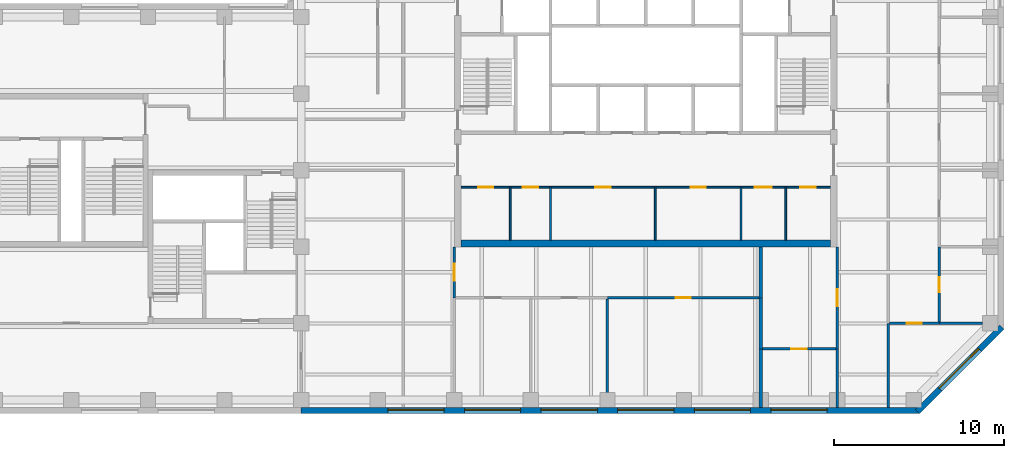
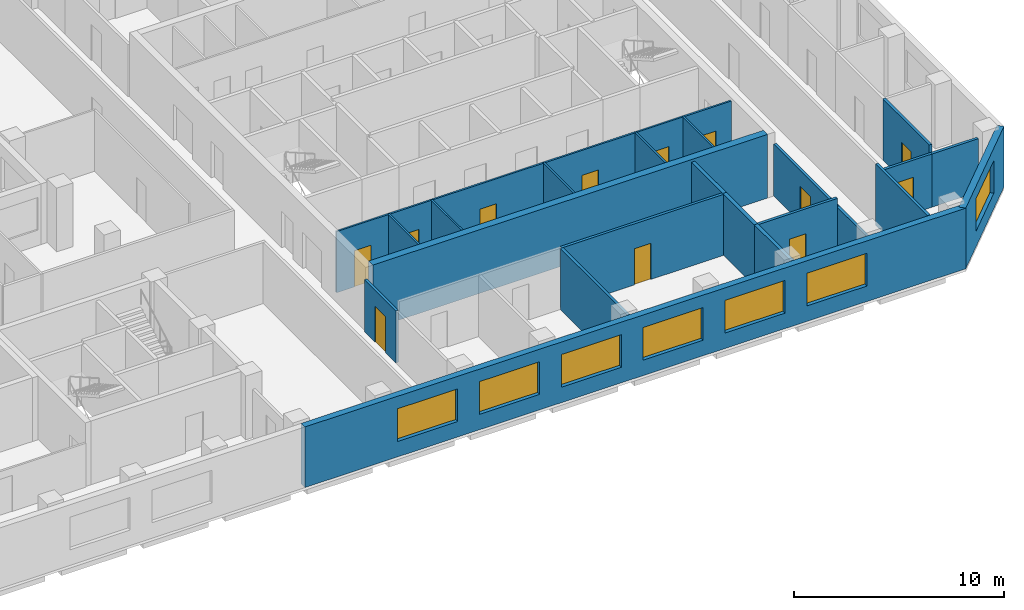
# One storey, part 4 of 9: 22 walls, 12 doors, 7 windows, 19 openings.
"""IFC4 building model written with IfcOpenShell, lengths in metres."""

from ifc_helpers import new_model, si_unit, direction, frame, frame_2d, origin, place, context, subcontext, project, spatial, rectangle, extrude, material, layer, layer_set, constituent, constituent_set, type_object, element, fill, save


model = new_model("IFC4")

# Units and contexts
model_context = context("Model", 3, precision=1e-05, world=origin(), true_north=direction((0.0, 1.0)))
body_context = subcontext(model_context, "Body", "Model", "MODEL_VIEW")
ifc_project = project(units=[si_unit("LENGTHUNIT", "METRE"), si_unit("AREAUNIT", "SQUARE_METRE"), si_unit("VOLUMEUNIT", "CUBIC_METRE"), si_unit("PLANEANGLEUNIT", "RADIAN"), si_unit("MASSUNIT", "GRAM", prefix="KILO")], contexts=[model_context])

# Site, building, storey
site_placement = place(None, origin())
site = spatial("IfcSite", under=ifc_project, at=site_placement, CompositionType="ELEMENT")
building_placement = place(site_placement, origin())
building = spatial("IfcBuilding", under=site, at=building_placement, Name="Quoin Convention Tower", CompositionType="ELEMENT")
storey_placement = place(building_placement, frame((0.0, 0.0, 177.300048828125)))
storey = spatial("IfcBuildingStorey", under=building, at=storey_placement, Name="L46", CompositionType="ELEMENT", Elevation=177.300048828125)

# Wall, opening, door
ifc_material_1 = material(Name="Plasterboard")
ifc_layer_1 = layer(ifc_material_1, 0.012451171875, Name="Finish")
ifc_material_2 = material(Name="Steel stud framing", Category="steel")
ifc_layer_2 = layer(ifc_material_2, 0.125, Name="Structure")
ifc_layer_3 = layer(ifc_material_1, 0.012451171875, Name="Finish")
ifc_layer_set_1 = layer_set([ifc_layer_1, ifc_layer_2, ifc_layer_3], Name="Steel stud framing")
wall_type_1 = type_object("IfcWallType", Name="Acoustic partition 150", PredefinedType="PARTITIONING", material=ifc_layer_set_1)
wall_1_placement = place(storey_placement, frame((63.10009765625, 43.5, 0.0), z_axis=(0.0, 0.0, 1.0), x_axis=(1.0, 0.0, 0.0)))
wall_1 = element("IfcWall", 1, at=wall_1_placement, inside=storey, type_object=wall_type_1, Name="pw-L46-001", PredefinedType="PARTITIONING", context=body_context, shape_type="SweptSolid", body=[
    extrude(rectangle(XDim=4.324951171875, YDim=0.14990234375, at=frame_2d((2.16259765625, 0.0))), origin(), (0.0, 0.0, 1.0), 3.550048828125),
])
opening_1_placement = place(wall_1_placement, frame((1.699951171875, 0.0, 0.0)))
opening_1 = element("IfcOpeningElement", 2, at=opening_1_placement, cuts=wall_1, Name="Opening DOH5-01", PredefinedType="OPENING", context=body_context, shape_type="SweptSolid", body=[
    extrude(rectangle(XDim=0.89990234375, YDim=2.10009765625, at=frame_2d((0.449951171875, 1.050048828125))), frame((0.0, 0.0849609375, 0.0), z_axis=(0.0, -1.0, 0.0), x_axis=(1.0, 0.0, 0.0)), (0.0, 0.0, 1.0), 0.169921875),
])
ifc_material_3 = material(Name="Steel door leaf", Category="steel")
door_type_1 = type_object("IfcDoorType", Name="Office door 900 x 2100", OperationType="SINGLE_SWING_RIGHT", PredefinedType="DOOR", material=ifc_material_3)
door_1_placement = place(opening_1_placement, frame((0.89990234375, 0.0, 0.0), z_axis=(0.0, 0.0, 1.0), x_axis=(-1.0, 0.0, 0.0)))
door_1 = element("IfcDoor", 3, at=door_1_placement, inside=storey, type_object=door_type_1, Name="dr-L46-12", OperationType="SINGLE_SWING_LEFT", OverallHeight=2.10009765625, OverallWidth=0.89990234375, PredefinedType="DOOR", context=body_context, shape_type="SweptSolid", body=[
    extrude(rectangle(XDim=0.89990234375, YDim=2.10009765625, at=frame_2d((0.449951171875, 1.050048828125))), frame((0.0, 0.02490234375, 0.0), z_axis=(0.0, -1.0, 0.0), x_axis=(1.0, 0.0, 0.0)), (0.0, 0.0, 1.0), 0.050048828125),
])
fill(opening_1, door_1)

wall_2_placement = place(storey_placement, frame((54.0, 46.5, 0.0), z_axis=(0.0, 0.0, 1.0), x_axis=(1.0, 0.0, 0.0)))
wall_2 = element("IfcWall", 4, at=wall_2_placement, inside=storey, type_object=wall_type_1, Name="pw-L46-006", PredefinedType="PARTITIONING", context=body_context, shape_type="SweptSolid", body=[
    extrude(rectangle(XDim=8.89990234375, YDim=0.14990234375, at=frame_2d((4.449951171875, 0.0))), origin(), (0.0, 0.0, 1.0), 3.550048828125),
])
opening_2_placement = place(wall_2_placement, frame((4.0, 0.0, 0.0)))
opening_2 = element("IfcOpeningElement", 5, at=opening_2_placement, cuts=wall_2, Name="Opening DOH5-05", PredefinedType="OPENING", context=body_context, shape_type="SweptSolid", body=[
    extrude(rectangle(XDim=0.89990234375, YDim=2.10009765625, at=frame_2d((0.449951171875, 1.050048828125))), frame((0.0, 0.0849609375, 0.0), z_axis=(0.0, -1.0, 0.0), x_axis=(1.0, 0.0, 0.0)), (0.0, 0.0, 1.0), 0.169921875),
])
door_2_placement = place(opening_2_placement, frame((0.89990234375, 0.0, 0.0), z_axis=(0.0, 0.0, 1.0), x_axis=(-1.0, 0.0, 0.0)))
door_2 = element("IfcDoor", 6, at=door_2_placement, inside=storey, type_object=door_type_1, Name="dr-L46-10", OperationType="SINGLE_SWING_RIGHT", OverallHeight=2.10009765625, OverallWidth=0.89990234375, PredefinedType="DOOR", context=body_context, shape_type="SweptSolid", body=[
    extrude(rectangle(XDim=0.89990234375, YDim=2.10009765625, at=frame_2d((0.449951171875, 1.050048828125))), frame((0.0, 0.02490234375, 0.0), z_axis=(0.0, -1.0, 0.0), x_axis=(1.0, 0.0, 0.0)), (0.0, 0.0, 1.0), 0.050048828125),
])
fill(opening_2, door_2)

# Wall
wall_3_placement = place(storey_placement, frame((54.0, 40.050048828125, 0.0), z_axis=(0.0, 0.0, 1.0), x_axis=(0.0, 1.0, 0.0)))
element("IfcWall", 7, at=wall_3_placement, inside=storey, type_object=wall_type_1, Name="pw-L46-029", PredefinedType="PARTITIONING", context=body_context, shape_type="SweptSolid", body=[
    extrude(rectangle(XDim=6.375, YDim=0.14990234375, at=frame_2d((3.1875, 0.0))), origin(), (0.0, 0.0, 1.0), 3.550048828125),
])

# Wall, opening, door
wall_4_placement = place(storey_placement, frame((73.5, 45.074951171875, 0.0), z_axis=(0.0, 0.0, 1.0), x_axis=(0.0, 1.0, 0.0)))
wall_4 = element("IfcWall", 8, at=wall_4_placement, inside=storey, type_object=wall_type_1, Name="pw-L46-037", PredefinedType="PARTITIONING", context=body_context, shape_type="SweptSolid", body=[
    extrude(rectangle(XDim=4.425048828125, YDim=0.14990234375, at=frame_2d((2.21240234375, 0.0))), origin(), (0.0, 0.0, 1.0), 3.550048828125),
])
opening_3_placement = place(wall_4_placement, frame((1.75, 0.0, 0.0)))
opening_3 = element("IfcOpeningElement", 9, at=opening_3_placement, cuts=wall_4, Name="Opening DOH5-13", PredefinedType="OPENING", context=body_context, shape_type="SweptSolid", body=[
    extrude(rectangle(XDim=0.89990234375, YDim=2.10009765625, at=frame_2d((0.449951171875, 1.050048828125))), frame((0.0, 0.0849609375, 0.0), z_axis=(0.0, -1.0, 0.0), x_axis=(1.0, 0.0, 0.0)), (0.0, 0.0, 1.0), 0.169921875),
])
door_3_placement = place(opening_3_placement, origin())
door_3 = element("IfcDoor", 10, at=door_3_placement, inside=storey, type_object=door_type_1, Name="dr-L46-20", OperationType="SINGLE_SWING_RIGHT", OverallHeight=2.10009765625, OverallWidth=0.89990234375, PredefinedType="DOOR", context=body_context, shape_type="SweptSolid", body=[
    extrude(rectangle(XDim=0.89990234375, YDim=2.10009765625, at=frame_2d((0.449951171875, 1.050048828125))), frame((0.0, 0.02490234375, 0.0), z_axis=(0.0, -1.0, 0.0), x_axis=(1.0, 0.0, 0.0)), (0.0, 0.0, 1.0), 0.050048828125),
])
fill(opening_3, door_3)

ifc_layer_4 = layer(ifc_material_1, 0.012451171875, Name="Finish")
ifc_layer_5 = layer(ifc_material_2, 0.125, Name="Structure")
ifc_layer_6 = layer(ifc_material_1, 0.012451171875, Name="Finish")
ifc_layer_set_2 = layer_set([ifc_layer_4, ifc_layer_5, ifc_layer_6], Name="Steel stud framing")
wall_type_2 = type_object("IfcWallType", Name="Acoustic partition 150 under beam 454", PredefinedType="PARTITIONING", material=ifc_layer_set_2)
wall_5_placement = place(storey_placement, frame((70.574951171875, 45.0, 0.0), z_axis=(0.0, 0.0, 1.0), x_axis=(1.0, 0.0, 0.0)))
wall_5 = element("IfcWall", 11, at=wall_5_placement, inside=storey, type_object=wall_type_2, Name="pw-L46-002", PredefinedType="PARTITIONING", context=body_context, shape_type="SweptSolid", body=[
    extrude(rectangle(XDim=2.925048828125, YDim=0.14990234375, at=frame_2d((1.46240234375, 0.0))), origin(), (0.0, 0.0, 1.0), 3.095947265625),
])
opening_4_placement = place(wall_5_placement, frame((1.0, 0.0, 0.0)))
opening_4 = element("IfcOpeningElement", 12, at=opening_4_placement, cuts=wall_5, Name="Opening DOH5-02", PredefinedType="OPENING", context=body_context, shape_type="SweptSolid", body=[
    extrude(rectangle(XDim=0.89990234375, YDim=2.10009765625, at=frame_2d((0.449951171875, 1.050048828125))), frame((0.0, 0.0849609375, 0.0), z_axis=(0.0, -1.0, 0.0), x_axis=(1.0, 0.0, 0.0)), (0.0, 0.0, 1.0), 0.169921875),
])
door_4_placement = place(opening_4_placement, origin())
door_4 = element("IfcDoor", 13, at=door_4_placement, inside=storey, type_object=door_type_1, Name="dr-L46-19", OperationType="SINGLE_SWING_RIGHT", OverallHeight=2.10009765625, OverallWidth=0.89990234375, PredefinedType="DOOR", context=body_context, shape_type="SweptSolid", body=[
    extrude(rectangle(XDim=0.89990234375, YDim=2.10009765625, at=frame_2d((0.449951171875, 1.050048828125))), frame((0.0, 0.02490234375, 0.0), z_axis=(0.0, -1.0, 0.0), x_axis=(1.0, 0.0, 0.0)), (0.0, 0.0, 1.0), 0.050048828125),
])
fill(opening_4, door_4)

# Wall
wall_6_placement = place(storey_placement, frame((73.5, 45.0, 0.0), z_axis=(0.0, 0.0, 1.0), x_axis=(1.0, 0.0, 0.0)))
element("IfcWall", 14, at=wall_6_placement, inside=storey, type_object=wall_type_2, Name="pw-L46-003", PredefinedType="PARTITIONING", context=body_context, shape_type="SweptSolid", body=[
    extrude(rectangle(XDim=2.550048828125, YDim=0.14990234375, at=frame_2d((1.27490234375, 0.0))), origin(), (0.0, 0.0, 1.0), 3.095947265625),
])

# Wall, openings, windows
ifc_material_4 = material(Name="Brick masonry", Category="masonry")
ifc_layer_7 = layer(ifc_material_4, 0.35009765625)
ifc_layer_set_3 = layer_set([ifc_layer_7], Name="Brick masonry")
wall_type_3 = type_object("IfcWallType", Name="Brick facade wall", PredefinedType="STANDARD", material=ifc_layer_set_3)
wall_7_placement = place(storey_placement, frame((36.0, 39.875, 0.0), z_axis=(0.0, 0.0, 1.0), x_axis=(1.0, 0.0, 0.0)))
wall_7 = element("IfcWall", 15, at=wall_7_placement, inside=storey, type_object=wall_type_3, Name="fw-L46-36000_40500", PredefinedType="STANDARD", context=body_context, shape_type="SweptSolid", body=[
    extrude(rectangle(XDim=36.331298828125, YDim=0.35009765625, at=frame_2d((18.16552734375, 0.0))), origin(), (0.0, 0.0, 1.0), 3.52490234375),
])
opening_5_placement = place(wall_7_placement, frame((5.10009765625, 0.0, 0.89990234375)))
opening_5 = element("IfcOpeningElement", 16, at=opening_5_placement, cuts=wall_7, Name="Opening W-02", PredefinedType="OPENING", context=body_context, shape_type="SweptSolid", body=[
    extrude(rectangle(XDim=3.300048828125, YDim=1.89990234375, at=frame_2d((1.64990234375, 0.949951171875))), frame((0.0, 0.18505859375, 0.0), z_axis=(0.0, -1.0, 0.0), x_axis=(1.0, 0.0, 0.0)), (0.0, 0.0, 1.0), 0.3701171875),
])
opening_6_placement = place(wall_7_placement, frame((9.60009765625, 0.0, 0.89990234375)))
opening_6 = element("IfcOpeningElement", 17, at=opening_6_placement, cuts=wall_7, Name="Opening W-02", PredefinedType="OPENING", context=body_context, shape_type="SweptSolid", body=[
    extrude(rectangle(XDim=3.300048828125, YDim=1.89990234375, at=frame_2d((1.64990234375, 0.949951171875))), frame((0.0, 0.18505859375, 0.0), z_axis=(0.0, -1.0, 0.0), x_axis=(1.0, 0.0, 0.0)), (0.0, 0.0, 1.0), 0.3701171875),
])
opening_7_placement = place(wall_7_placement, frame((14.10009765625, 0.0, 0.89990234375)))
opening_7 = element("IfcOpeningElement", 18, at=opening_7_placement, cuts=wall_7, Name="Opening W-02", PredefinedType="OPENING", context=body_context, shape_type="SweptSolid", body=[
    extrude(rectangle(XDim=3.300048828125, YDim=1.89990234375, at=frame_2d((1.64990234375, 0.949951171875))), frame((0.0, 0.18505859375, 0.0), z_axis=(0.0, -1.0, 0.0), x_axis=(1.0, 0.0, 0.0)), (0.0, 0.0, 1.0), 0.3701171875),
])
opening_8_placement = place(wall_7_placement, frame((18.60009765625, 0.0, 0.89990234375)))
opening_8 = element("IfcOpeningElement", 19, at=opening_8_placement, cuts=wall_7, Name="Opening W-02", PredefinedType="OPENING", context=body_context, shape_type="SweptSolid", body=[
    extrude(rectangle(XDim=3.300048828125, YDim=1.89990234375, at=frame_2d((1.64990234375, 0.949951171875))), frame((0.0, 0.18505859375, 0.0), z_axis=(0.0, -1.0, 0.0), x_axis=(1.0, 0.0, 0.0)), (0.0, 0.0, 1.0), 0.3701171875),
])
opening_9_placement = place(wall_7_placement, frame((23.10009765625, 0.0, 0.89990234375)))
opening_9 = element("IfcOpeningElement", 20, at=opening_9_placement, cuts=wall_7, Name="Opening W-02", PredefinedType="OPENING", context=body_context, shape_type="SweptSolid", body=[
    extrude(rectangle(XDim=3.300048828125, YDim=1.89990234375, at=frame_2d((1.64990234375, 0.949951171875))), frame((0.0, 0.18505859375, 0.0), z_axis=(0.0, -1.0, 0.0), x_axis=(1.0, 0.0, 0.0)), (0.0, 0.0, 1.0), 0.3701171875),
])
opening_10_placement = place(wall_7_placement, frame((27.60009765625, 0.0, 0.89990234375)))
opening_10 = element("IfcOpeningElement", 21, at=opening_10_placement, cuts=wall_7, Name="Opening W-02", PredefinedType="OPENING", context=body_context, shape_type="SweptSolid", body=[
    extrude(rectangle(XDim=3.300048828125, YDim=1.89990234375, at=frame_2d((1.64990234375, 0.949951171875))), frame((0.0, 0.18505859375, 0.0), z_axis=(0.0, -1.0, 0.0), x_axis=(1.0, 0.0, 0.0)), (0.0, 0.0, 1.0), 0.3701171875),
])
ifc_material_5 = material(Name="Aluminium", Category="aluminium")
ifc_constituent_1 = constituent(ifc_material_5, Name="Frame")
ifc_material_6 = material(Name="Insulated glass", Category="glass")
ifc_constituent_2 = constituent(ifc_material_6, Name="Glazing")
ifc_constituent_set = constituent_set(constituents=[ifc_constituent_1, ifc_constituent_2], Name="Aluminium")
window_type = type_object("IfcWindowType", Name="Office window", PartitioningType="DOUBLE_PANEL_VERTICAL", PredefinedType="WINDOW", material=ifc_constituent_set)
window_1_placement = place(opening_5_placement, origin())
window_1 = element("IfcWindow", 22, at=window_1_placement, inside=storey, type_object=window_type, Name="win-L46-42750_39875", OverallHeight=1.89990234375, OverallWidth=3.300048828125, PartitioningType="SINGLE_PANEL", PredefinedType="WINDOW", context=body_context, shape_type="SweptSolid", body=[
    extrude(rectangle(XDim=3.300048828125, YDim=1.89990234375, at=frame_2d((1.64990234375, 0.949951171875))), frame((0.0, 0.0849609375, 0.0), z_axis=(0.0, -1.0, 0.0), x_axis=(1.0, 0.0, 0.0)), (0.0, 0.0, 1.0), 0.06005859375),
])
fill(opening_5, window_1)
window_2_placement = place(opening_6_placement, origin())
window_2 = element("IfcWindow", 23, at=window_2_placement, inside=storey, type_object=window_type, Name="win-L46-47250_39875", OverallHeight=1.89990234375, OverallWidth=3.300048828125, PartitioningType="SINGLE_PANEL", PredefinedType="WINDOW", context=body_context, shape_type="SweptSolid", body=[
    extrude(rectangle(XDim=3.300048828125, YDim=1.89990234375, at=frame_2d((1.64990234375, 0.949951171875))), frame((0.0, 0.0849609375, 0.0), z_axis=(0.0, -1.0, 0.0), x_axis=(1.0, 0.0, 0.0)), (0.0, 0.0, 1.0), 0.06005859375),
])
fill(opening_6, window_2)
window_3_placement = place(opening_7_placement, origin())
window_3 = element("IfcWindow", 24, at=window_3_placement, inside=storey, type_object=window_type, Name="win-L46-51750_39875", OverallHeight=1.89990234375, OverallWidth=3.300048828125, PartitioningType="SINGLE_PANEL", PredefinedType="WINDOW", context=body_context, shape_type="SweptSolid", body=[
    extrude(rectangle(XDim=3.300048828125, YDim=1.89990234375, at=frame_2d((1.64990234375, 0.949951171875))), frame((0.0, 0.0849609375, 0.0), z_axis=(0.0, -1.0, 0.0), x_axis=(1.0, 0.0, 0.0)), (0.0, 0.0, 1.0), 0.06005859375),
])
fill(opening_7, window_3)
window_4_placement = place(opening_8_placement, origin())
window_4 = element("IfcWindow", 25, at=window_4_placement, inside=storey, type_object=window_type, Name="win-L46-56250_39875", OverallHeight=1.89990234375, OverallWidth=3.300048828125, PartitioningType="SINGLE_PANEL", PredefinedType="WINDOW", context=body_context, shape_type="SweptSolid", body=[
    extrude(rectangle(XDim=3.300048828125, YDim=1.89990234375, at=frame_2d((1.64990234375, 0.949951171875))), frame((0.0, 0.0849609375, 0.0), z_axis=(0.0, -1.0, 0.0), x_axis=(1.0, 0.0, 0.0)), (0.0, 0.0, 1.0), 0.06005859375),
])
fill(opening_8, window_4)
window_5_placement = place(opening_9_placement, origin())
window_5 = element("IfcWindow", 26, at=window_5_placement, inside=storey, type_object=window_type, Name="win-L46-60750_39875", OverallHeight=1.89990234375, OverallWidth=3.300048828125, PartitioningType="SINGLE_PANEL", PredefinedType="WINDOW", context=body_context, shape_type="SweptSolid", body=[
    extrude(rectangle(XDim=3.300048828125, YDim=1.89990234375, at=frame_2d((1.64990234375, 0.949951171875))), frame((0.0, 0.0849609375, 0.0), z_axis=(0.0, -1.0, 0.0), x_axis=(1.0, 0.0, 0.0)), (0.0, 0.0, 1.0), 0.06005859375),
])
fill(opening_9, window_5)
window_6_placement = place(opening_10_placement, origin())
window_6 = element("IfcWindow", 27, at=window_6_placement, inside=storey, type_object=window_type, Name="win-L46-65250_39875", OverallHeight=1.89990234375, OverallWidth=3.300048828125, PartitioningType="SINGLE_PANEL", PredefinedType="WINDOW", context=body_context, shape_type="SweptSolid", body=[
    extrude(rectangle(XDim=3.300048828125, YDim=1.89990234375, at=frame_2d((1.64990234375, 0.949951171875))), frame((0.0, 0.0849609375, 0.0), z_axis=(0.0, -1.0, 0.0), x_axis=(1.0, 0.0, 0.0)), (0.0, 0.0, 1.0), 0.06005859375),
])
fill(opening_10, window_6)

# Wall, opening, window
wall_8_placement = place(storey_placement, frame((72.20751953125, 39.82373046875, 0.0), z_axis=(0.0, 0.0, 1.0), x_axis=(0.707106781187, 0.707106781187, 0.0)))
wall_8 = element("IfcWall", 28, at=wall_8_placement, inside=storey, type_object=wall_type_3, Name="fw-L46-72000_40500", PredefinedType="STANDARD", context=body_context, shape_type="SweptSolid", body=[
    extrude(rectangle(XDim=7.02685546875, YDim=0.35009765625, at=frame_2d((3.513427734375, 0.0))), origin(), (0.0, 0.0, 1.0), 3.52490234375),
])
opening_11_placement = place(wall_8_placement, frame((1.86328125, 0.0, 0.89990234375)))
opening_11 = element("IfcOpeningElement", 29, at=opening_11_placement, cuts=wall_8, Name="Opening W-02", PredefinedType="OPENING", context=body_context, shape_type="SweptSolid", body=[
    extrude(rectangle(XDim=3.300048828125, YDim=1.89990234375, at=frame_2d((1.64990234375, 0.949951171875))), frame((0.0, 0.18505859375, 0.0), z_axis=(0.0, -1.0, 0.0), x_axis=(1.0, 0.0, 0.0)), (0.0, 0.0, 1.0), 0.3701171875),
])
window_7_placement = place(opening_11_placement, origin())
window_7 = element("IfcWindow", 30, at=window_7_placement, inside=storey, type_object=window_type, Name="win-L46-74692_42308", OverallHeight=1.89990234375, OverallWidth=3.300048828125, PartitioningType="SINGLE_PANEL", PredefinedType="WINDOW", context=body_context, shape_type="SweptSolid", body=[
    extrude(rectangle(XDim=3.300048828125, YDim=1.89990234375, at=frame_2d((1.64990234375, 0.949951171875))), frame((0.0, 0.0849609375, 0.0), z_axis=(0.0, -1.0, 0.0), x_axis=(1.0, 0.0, 0.0)), (0.0, 0.0, 1.0), 0.06005859375),
])
fill(opening_11, window_7)

# Wall, openings, doors
ifc_layer_8 = layer(ifc_material_1, 0.012451171875, Name="Finish")
ifc_layer_9 = layer(ifc_material_2, 0.074951171875, Name="Structure")
ifc_layer_10 = layer(ifc_material_1, 0.012451171875, Name="Finish")
ifc_layer_set_4 = layer_set([ifc_layer_8, ifc_layer_9, ifc_layer_10], Name="Steel stud framing")
wall_type_4 = type_object("IfcWallType", Name="Core partition wall", PredefinedType="PARTITIONING", material=ifc_layer_set_4)
wall_9_placement = place(storey_placement, frame((45.39990234375, 53.0, 0.0), z_axis=(0.0, 0.0, 1.0), x_axis=(1.0, 0.0, 0.0)))
wall_9 = element("IfcWall", 31, at=wall_9_placement, inside=storey, type_object=wall_type_4, Name="cr-C1-L46-h3500_400", PredefinedType="PARTITIONING", context=body_context, shape_type="SweptSolid", body=[
    extrude(rectangle(XDim=21.7001953125, YDim=0.10009765625, at=frame_2d((10.85009765625, 0.0))), origin(), (0.0, 0.0, 1.0), 3.550048828125),
])
opening_12_placement = place(wall_9_placement, frame((19.9375, 0.0, 0.0)))
opening_12 = element("IfcOpeningElement", 32, at=opening_12_placement, cuts=wall_9, Name="Opening DCV4-33", PredefinedType="OPENING", context=body_context, shape_type="SweptSolid", body=[
    extrude(rectangle(XDim=0.89990234375, YDim=2.10009765625, at=frame_2d((0.449951171875, 1.050048828125))), frame((0.0, 0.06005859375, 0.0), z_axis=(0.0, -1.0, 0.0), x_axis=(1.0, 0.0, 0.0)), (0.0, 0.0, 1.0), 0.1201171875),
])
opening_13_placement = place(wall_9_placement, frame((17.262451171875, 0.0, 0.0)))
opening_13 = element("IfcOpeningElement", 33, at=opening_13_placement, cuts=wall_9, Name="Opening DCV4-32", PredefinedType="OPENING", context=body_context, shape_type="SweptSolid", body=[
    extrude(rectangle(XDim=1.0, YDim=2.10009765625, at=frame_2d((0.5, 1.050048828125))), frame((0.0, 0.06005859375, 0.0), z_axis=(0.0, -1.0, 0.0), x_axis=(1.0, 0.0, 0.0)), (0.0, 0.0, 1.0), 0.1201171875),
])
opening_14_placement = place(wall_9_placement, frame((0.993896484375, 0.0, 0.0)))
opening_14 = element("IfcOpeningElement", 34, at=opening_14_placement, cuts=wall_9, Name="Opening DCV4-25", PredefinedType="OPENING", context=body_context, shape_type="SweptSolid", body=[
    extrude(rectangle(XDim=0.89990234375, YDim=2.10009765625, at=frame_2d((0.449951171875, 1.050048828125))), frame((0.0, 0.06005859375, 0.0), z_axis=(0.0, -1.0, 0.0), x_axis=(1.0, 0.0, 0.0)), (0.0, 0.0, 1.0), 0.1201171875),
])
opening_15_placement = place(wall_9_placement, frame((3.618896484375, 0.0, 0.0)))
opening_15 = element("IfcOpeningElement", 35, at=opening_15_placement, cuts=wall_9, Name="Opening DCV4-26", PredefinedType="OPENING", context=body_context, shape_type="SweptSolid", body=[
    extrude(rectangle(XDim=0.89990234375, YDim=2.10009765625, at=frame_2d((0.449951171875, 1.050048828125))), frame((0.0, 0.06005859375, 0.0), z_axis=(0.0, -1.0, 0.0), x_axis=(1.0, 0.0, 0.0)), (0.0, 0.0, 1.0), 0.1201171875),
])
opening_16_placement = place(wall_9_placement, frame((7.8798828125, 0.0, 0.0)))
opening_16 = element("IfcOpeningElement", 36, at=opening_16_placement, cuts=wall_9, Name="Opening DCV4-28", PredefinedType="OPENING", context=body_context, shape_type="SweptSolid", body=[
    extrude(rectangle(XDim=0.89990234375, YDim=2.10009765625, at=frame_2d((0.449951171875, 1.050048828125))), frame((0.0, 0.06005859375, 0.0), z_axis=(0.0, -1.0, 0.0), x_axis=(1.0, 0.0, 0.0)), (0.0, 0.0, 1.0), 0.1201171875),
])
opening_17_placement = place(wall_9_placement, frame((13.47998046875, 0.0, 0.0)))
opening_17 = element("IfcOpeningElement", 37, at=opening_17_placement, cuts=wall_9, Name="Opening DCV4-31", PredefinedType="OPENING", context=body_context, shape_type="SweptSolid", body=[
    extrude(rectangle(XDim=0.89990234375, YDim=2.10009765625, at=frame_2d((0.449951171875, 1.050048828125))), frame((0.0, 0.06005859375, 0.0), z_axis=(0.0, -1.0, 0.0), x_axis=(1.0, 0.0, 0.0)), (0.0, 0.0, 1.0), 0.1201171875),
])
door_type_2 = type_object("IfcDoorType", Name="Core room door 1000 x 2100", OperationType="SINGLE_SWING_LEFT", PredefinedType="DOOR", material=ifc_material_3)
door_5_placement = place(opening_13_placement, frame((1.0, 0.0, 0.0), z_axis=(0.0, 0.0, 1.0), x_axis=(-1.0, 0.0, 0.0)))
door_5 = element("IfcDoor", 38, at=door_5_placement, inside=storey, type_object=door_type_2, Name="cd-C1-L46-CSE1-lobA-CD4613", OperationType="SINGLE_SWING_LEFT", OverallHeight=2.10009765625, OverallWidth=1.0, PredefinedType="DOOR", context=body_context, shape_type="SweptSolid", body=[
    extrude(rectangle(XDim=1.0, YDim=2.10009765625, at=frame_2d((0.5, 1.050048828125))), frame((0.0, 0.02490234375, 0.0), z_axis=(0.0, -1.0, 0.0), x_axis=(1.0, 0.0, 0.0)), (0.0, 0.0, 1.0), 0.050048828125),
])
fill(opening_13, door_5)
door_type_3 = type_object("IfcDoorType", Name="Core room door 900 x 2100", OperationType="SINGLE_SWING_LEFT", PredefinedType="DOOR", material=ifc_material_3)
door_6_placement = place(opening_12_placement, frame((0.89990234375, 0.0, 0.0), z_axis=(0.0, 0.0, 1.0), x_axis=(-1.0, 0.0, 0.0)))
door_6 = element("IfcDoor", 39, at=door_6_placement, inside=storey, type_object=door_type_3, Name="cd-C1-L46-CSE0-lobA-CD4612", OperationType="SINGLE_SWING_LEFT", OverallHeight=2.10009765625, OverallWidth=0.89990234375, PredefinedType="DOOR", context=body_context, shape_type="SweptSolid", body=[
    extrude(rectangle(XDim=0.89990234375, YDim=2.10009765625, at=frame_2d((0.449951171875, 1.050048828125))), frame((0.0, 0.02490234375, 0.0), z_axis=(0.0, -1.0, 0.0), x_axis=(1.0, 0.0, 0.0)), (0.0, 0.0, 1.0), 0.050048828125),
])
fill(opening_12, door_6)
door_7_placement = place(opening_14_placement, frame((0.89990234375, 0.0, 0.0), z_axis=(0.0, 0.0, 1.0), x_axis=(-1.0, 0.0, 0.0)))
door_7 = element("IfcDoor", 40, at=door_7_placement, inside=storey, type_object=door_type_3, Name="cd-C1-L46-CSW0-lobA-CD4614", OperationType="SINGLE_SWING_LEFT", OverallHeight=2.10009765625, OverallWidth=0.89990234375, PredefinedType="DOOR", context=body_context, shape_type="SweptSolid", body=[
    extrude(rectangle(XDim=0.89990234375, YDim=2.10009765625, at=frame_2d((0.449951171875, 1.050048828125))), frame((0.0, 0.02490234375, 0.0), z_axis=(0.0, -1.0, 0.0), x_axis=(1.0, 0.0, 0.0)), (0.0, 0.0, 1.0), 0.050048828125),
])
fill(opening_14, door_7)
door_8_placement = place(opening_15_placement, frame((0.89990234375, 0.0, 0.0), z_axis=(0.0, 0.0, 1.0), x_axis=(-1.0, 0.0, 0.0)))
door_8 = element("IfcDoor", 41, at=door_8_placement, inside=storey, type_object=door_type_3, Name="cd-C1-L46-CSW1-lobA-CD4615", OperationType="SINGLE_SWING_LEFT", OverallHeight=2.10009765625, OverallWidth=0.89990234375, PredefinedType="DOOR", context=body_context, shape_type="SweptSolid", body=[
    extrude(rectangle(XDim=0.89990234375, YDim=2.10009765625, at=frame_2d((0.449951171875, 1.050048828125))), frame((0.0, 0.02490234375, 0.0), z_axis=(0.0, -1.0, 0.0), x_axis=(1.0, 0.0, 0.0)), (0.0, 0.0, 1.0), 0.050048828125),
])
fill(opening_15, door_8)
door_9_placement = place(opening_16_placement, frame((0.89990234375, 0.0, 0.0), z_axis=(0.0, 0.0, 1.0), x_axis=(-1.0, 0.0, 0.0)))
door_9 = element("IfcDoor", 42, at=door_9_placement, inside=storey, type_object=door_type_3, Name="cd-C1-L46-F10-lobA-CD4616", OperationType="SINGLE_SWING_LEFT", OverallHeight=2.10009765625, OverallWidth=0.89990234375, PredefinedType="DOOR", context=body_context, shape_type="SweptSolid", body=[
    extrude(rectangle(XDim=0.89990234375, YDim=2.10009765625, at=frame_2d((0.449951171875, 1.050048828125))), frame((0.0, 0.02490234375, 0.0), z_axis=(0.0, -1.0, 0.0), x_axis=(1.0, 0.0, 0.0)), (0.0, 0.0, 1.0), 0.050048828125),
])
fill(opening_16, door_9)
door_10_placement = place(opening_17_placement, frame((0.89990234375, 0.0, 0.0), z_axis=(0.0, 0.0, 1.0), x_axis=(-1.0, 0.0, 0.0)))
door_10 = element("IfcDoor", 43, at=door_10_placement, inside=storey, type_object=door_type_3, Name="cd-C1-L46-F11-lobA-CD4617", OperationType="SINGLE_SWING_LEFT", OverallHeight=2.10009765625, OverallWidth=0.89990234375, PredefinedType="DOOR", context=body_context, shape_type="SweptSolid", body=[
    extrude(rectangle(XDim=0.89990234375, YDim=2.10009765625, at=frame_2d((0.449951171875, 1.050048828125))), frame((0.0, 0.02490234375, 0.0), z_axis=(0.0, -1.0, 0.0), x_axis=(1.0, 0.0, 0.0)), (0.0, 0.0, 1.0), 0.050048828125),
])
fill(opening_17, door_10)

# Walls
for number, where, z_axis, x_axis, name in (
    (44, (48.28759765625, 49.89990234375, 0.0), (0.0, 0.0, 1.0), (0.0, 1.0, 0.0), "cr-C1-L46-v3288_400"),
    (45, (50.64990234375, 49.89990234375, 0.0), (0.0, 0.0, 1.0), (0.0, 1.0, 0.0), "cr-C1-L46-v5650_400"),
    (46, (56.81005859375, 49.89990234375, 0.0), (0.0, 0.0, 1.0), (0.0, 1.0, 0.0), "cr-C1-L46-v11810_400"),
    (47, (61.85009765625, 49.89990234375, 0.0), (0.0, 0.0, 1.0), (0.0, 1.0, 0.0), "cr-C1-L46-v16850_400"),
    (48, (64.47509765625, 49.89990234375, 0.0), (0.0, 0.0, 1.0), (0.0, 1.0, 0.0), "cr-C1-L46-v19475_400"),
):
    element("IfcWall", number, at=place(storey_placement, frame(where, z_axis=z_axis, x_axis=x_axis)), inside=storey, type_object=wall_type_4, Name=name, PredefinedType="PARTITIONING", context=body_context, shape_type="SweptSolid", body=[
        extrude(rectangle(XDim=3.10009765625, YDim=0.10009765625, at=frame_2d((1.550048828125, 0.0))), origin(), (0.0, 0.0, 1.0), 3.550048828125),
    ])
ifc_layer_11 = layer(ifc_material_1, 0.012451171875, Name="Finish")
ifc_layer_12 = layer(ifc_material_2, 0.125, Name="Structure")
ifc_layer_13 = layer(ifc_material_1, 0.012451171875, Name="Finish")
ifc_layer_set_5 = layer_set([ifc_layer_11, ifc_layer_12, ifc_layer_13], Name="Steel stud framing")
wall_type_5 = type_object("IfcWallType", Name="Corridor wall 150", PredefinedType="PARTITIONING", material=ifc_layer_set_5)
wall_10_placement = place(storey_placement, frame((70.5, 40.050048828125, 0.0), z_axis=(0.0, 0.0, 1.0), x_axis=(0.0, 1.0, 0.0)))
element("IfcWall", 49, at=wall_10_placement, inside=storey, type_object=wall_type_5, Name="pw-L46-032", PredefinedType="PARTITIONING", context=body_context, shape_type="SweptSolid", body=[
    extrude(rectangle(XDim=4.949951171875, YDim=0.14990234375, at=frame_2d((2.47509765625, 0.0))), origin(), (0.0, 0.0, 1.0), 3.550048828125),
])
ifc_layer_14 = layer(ifc_material_1, 0.012451171875, Name="Finish")
ifc_layer_15 = layer(ifc_material_2, 0.125, Name="Structure")
ifc_layer_16 = layer(ifc_material_1, 0.012451171875, Name="Finish")
ifc_layer_set_6 = layer_set([ifc_layer_14, ifc_layer_15, ifc_layer_16], Name="Steel stud framing")
wall_type_6 = type_object("IfcWallType", Name="Corridor wall 150 under beam 528", PredefinedType="PARTITIONING", material=ifc_layer_set_6)
wall_11_placement = place(storey_placement, frame((67.5, 40.050048828125, 0.0), z_axis=(0.0, 0.0, 1.0), x_axis=(0.0, 1.0, 0.0)))
element("IfcWall", 50, at=wall_11_placement, inside=storey, type_object=wall_type_6, Name="pw-L46-031", PredefinedType="PARTITIONING", context=body_context, shape_type="SweptSolid", body=[
    extrude(rectangle(XDim=3.449951171875, YDim=0.14990234375, at=frame_2d((1.72509765625, 0.0))), origin(), (0.0, 0.0, 1.0), 3.02197265625),
])

# Wall, opening, door
wall_12_placement = place(storey_placement, frame((67.5, 43.5, 0.0), z_axis=(0.0, 0.0, 1.0), x_axis=(0.0, 1.0, 0.0)))
wall_12 = element("IfcWall", 51, at=wall_12_placement, inside=storey, type_object=wall_type_6, Name="pw-L46-035", PredefinedType="PARTITIONING", context=body_context, shape_type="SweptSolid", body=[
    extrude(rectangle(XDim=6.0, YDim=0.14990234375, at=frame_2d((3.0, 0.0))), origin(), (0.0, 0.0, 1.0), 3.02197265625),
])
opening_18_placement = place(wall_12_placement, frame((2.5, 0.0, 0.0)))
opening_18 = element("IfcOpeningElement", 52, at=opening_18_placement, cuts=wall_12, Name="Opening DOH5-11", PredefinedType="OPENING", context=body_context, shape_type="SweptSolid", body=[
    extrude(rectangle(XDim=1.0, YDim=2.10009765625, at=frame_2d((0.5, 1.050048828125))), frame((0.0, 0.0849609375, 0.0), z_axis=(0.0, -1.0, 0.0), x_axis=(1.0, 0.0, 0.0)), (0.0, 0.0, 1.0), 0.169921875),
])
door_type_4 = type_object("IfcDoorType", Name="Tenancy entrance door 1000 x 2100", OperationType="DOUBLE_DOOR_SINGLE_SWING", PredefinedType="DOOR", material=ifc_material_3)
door_11_placement = place(opening_18_placement, frame((1.0, 0.0, 0.0), z_axis=(0.0, 0.0, 1.0), x_axis=(-1.0, 0.0, 0.0)))
door_11 = element("IfcDoor", 53, at=door_11_placement, inside=storey, type_object=door_type_4, Name="dr-L46-11", OperationType="DOUBLE_DOOR_SINGLE_SWING", OverallHeight=2.10009765625, OverallWidth=1.0, PredefinedType="DOOR", context=body_context, shape_type="SweptSolid", body=[
    extrude(rectangle(XDim=1.0, YDim=2.10009765625, at=frame_2d((0.5, 1.050048828125))), frame((0.0, 0.02490234375, 0.0), z_axis=(0.0, -1.0, 0.0), x_axis=(1.0, 0.0, 0.0)), (0.0, 0.0, 1.0), 0.050048828125),
])
fill(opening_18, door_11)

wall_13_placement = place(storey_placement, frame((45.0, 46.5, 0.0), z_axis=(0.0, 0.0, 1.0), x_axis=(0.0, 1.0, 0.0)))
wall_13 = element("IfcWall", 54, at=wall_13_placement, inside=storey, type_object=wall_type_6, Name="pw-L46-038", PredefinedType="PARTITIONING", context=body_context, shape_type="SweptSolid", body=[
    extrude(rectangle(XDim=3.0, YDim=0.14990234375, at=frame_2d((1.5, 0.0))), origin(), (0.0, 0.0, 1.0), 3.02197265625),
])
opening_19_placement = place(wall_13_placement, frame((1.0, 0.0, 0.0)))
opening_19 = element("IfcOpeningElement", 55, at=opening_19_placement, cuts=wall_13, Name="Opening DOH5-14", PredefinedType="OPENING", context=body_context, shape_type="SweptSolid", body=[
    extrude(rectangle(XDim=1.0, YDim=2.10009765625, at=frame_2d((0.5, 1.050048828125))), frame((0.0, 0.0849609375, 0.0), z_axis=(0.0, -1.0, 0.0), x_axis=(1.0, 0.0, 0.0)), (0.0, 0.0, 1.0), 0.169921875),
])
door_12_placement = place(opening_19_placement, origin())
door_12 = element("IfcDoor", 56, at=door_12_placement, inside=storey, type_object=door_type_4, Name="dr-L46-07", OperationType="DOUBLE_DOOR_SINGLE_SWING", OverallHeight=2.10009765625, OverallWidth=1.0, PredefinedType="DOOR", context=body_context, shape_type="SweptSolid", body=[
    extrude(rectangle(XDim=1.0, YDim=2.10009765625, at=frame_2d((0.5, 1.050048828125))), frame((0.0, 0.02490234375, 0.0), z_axis=(0.0, -1.0, 0.0), x_axis=(1.0, 0.0, 0.0)), (0.0, 0.0, 1.0), 0.050048828125),
])
fill(opening_19, door_12)

# Walls
ifc_material_7 = material(Name="Concrete C50", Category="concrete")
ifc_layer_17 = layer(ifc_material_7, 0.39990234375)
ifc_layer_set_7 = layer_set([ifc_layer_17], Name="Concrete C50")
wall_type_7 = type_object("IfcWallType", Name="RC CORE WALL 400 C50", PredefinedType="SHEAR", material=ifc_layer_set_7)
wall_14_placement = place(storey_placement, frame((45.39990234375, 49.699951171875, 0.0), z_axis=(0.0, 0.0, 1.0), x_axis=(1.0, 0.0, 0.0)))
element("IfcWall", 57, at=wall_14_placement, inside=storey, type_object=wall_type_7, Name="cwl-C1-L46-S", PredefinedType="SHEAR", context=body_context, shape_type="SweptSolid", body=[
    extrude(rectangle(XDim=21.7001953125, YDim=0.39990234375, at=frame_2d((10.85009765625, 0.0))), origin(), (0.0, 0.0, 1.0), 3.699951171875),
])
ifc_layer_18 = layer(ifc_material_1, 0.012451171875, Name="Finish")
ifc_layer_19 = layer(ifc_material_2, 0.175048828125, Name="Structure")
ifc_layer_20 = layer(ifc_material_1, 0.012451171875, Name="Finish")
ifc_layer_set_8 = layer_set([ifc_layer_18, ifc_layer_19, ifc_layer_20], Name="Steel stud framing")
wall_type_8 = type_object("IfcWallType", Name="Tenancy demising wall 200", PredefinedType="PARTITIONING", material=ifc_layer_set_8)
wall_15_placement = place(storey_placement, frame((63.0, 40.050048828125, 0.0), z_axis=(0.0, 0.0, 1.0), x_axis=(0.0, 1.0, 0.0)))
element("IfcWall", 58, at=wall_15_placement, inside=storey, type_object=wall_type_8, Name="pw-L46-030", PredefinedType="PARTITIONING", context=body_context, shape_type="SweptSolid", body=[
    extrude(rectangle(XDim=3.449951171875, YDim=0.199951171875, at=frame_2d((1.72509765625, 0.0))), origin(), (0.0, 0.0, 1.0), 3.550048828125),
])
for number, where, z_axis, x_axis, name in (
    (59, (63.0, 43.5, 0.0), (0.0, 0.0, 1.0), (0.0, 1.0, 0.0), "pw-L46-034"),
    (60, (63.0, 46.5, 0.0), (0.0, 0.0, 1.0), (0.0, 1.0, 0.0), "pw-L46-039"),
):
    element("IfcWall", number, at=place(storey_placement, frame(where, z_axis=z_axis, x_axis=x_axis)), inside=storey, type_object=wall_type_8, Name=name, PredefinedType="PARTITIONING", context=body_context, shape_type="SweptSolid", body=[
        extrude(rectangle(XDim=3.0, YDim=0.199951171875, at=frame_2d((1.5, 0.0))), origin(), (0.0, 0.0, 1.0), 3.550048828125),
    ])

save(model, "model.ifc")
